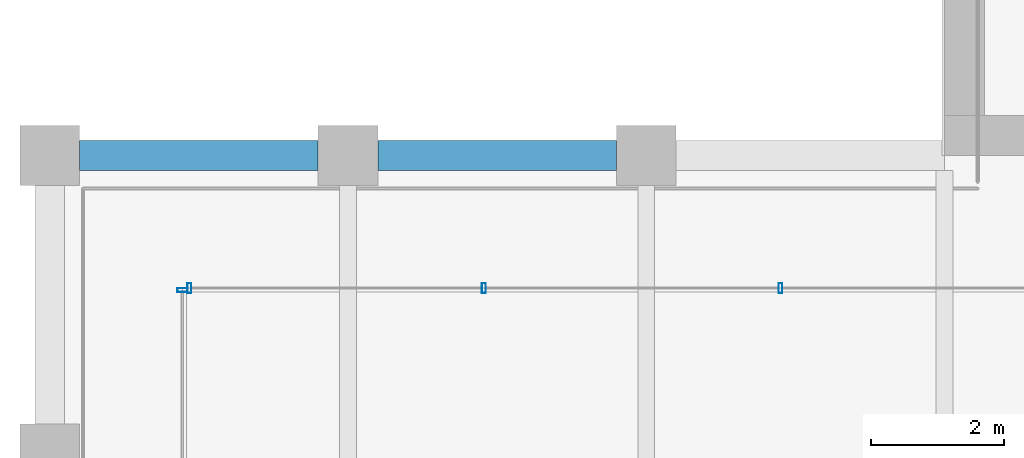
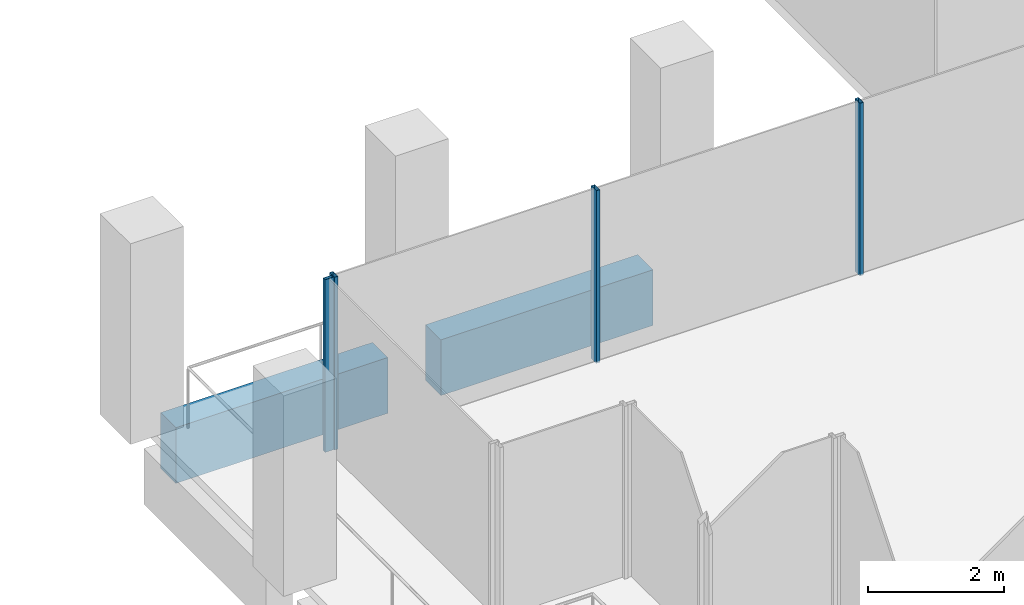
# One storey, part 5 of 40: 4 members, 2 beams, 2 elements without a shape of their own.
"""IFC4 building model written with IfcOpenShell, lengths in metres."""

from ifc_helpers import new_model, si_unit, direction, frame, origin, origin_2d, place, context, subcontext, project, spatial, rectangle, hollow_rectangle, extrude, material, material_profile, profile_set, type_object, element, aggregate, save


model = new_model("IFC4")

# Units and contexts
model_context = context("Model", 3, precision=1e-05, world=origin(), true_north=direction((0.0, 1.0)))
body_context = subcontext(model_context, "Body", "Model", "MODEL_VIEW")
ifc_project = project(units=[si_unit("LENGTHUNIT", "METRE"), si_unit("AREAUNIT", "SQUARE_METRE"), si_unit("VOLUMEUNIT", "CUBIC_METRE"), si_unit("PLANEANGLEUNIT", "RADIAN"), si_unit("MASSUNIT", "GRAM", prefix="KILO")], contexts=[model_context])

# Site, building, storey
site_placement = place(None, origin())
site = spatial("IfcSite", under=ifc_project, at=site_placement, CompositionType="ELEMENT")
building_placement = place(site_placement, origin())
building = spatial("IfcBuilding", under=site, at=building_placement, Name="Altepetl Exchange Towers", CompositionType="ELEMENT")
storey_placement = place(building_placement, frame((0.0, 0.0, 161.800048828125)))
storey = spatial("IfcBuildingStorey", under=building, at=storey_placement, Name="L40", CompositionType="ELEMENT", Elevation=161.800048828125)

# Curtain wall, members
ifc_material_1 = material(Name="Aluminium 6063-T6 glazing", Category="aluminium")
curtain_wall_type = type_object("IfcCurtainWallType", Name="Loggia glazing system", PredefinedType="NOTDEFINED", material=ifc_material_1)
curtain_wall_1_placement = place(storey_placement, origin())
curtain_wall_1 = element("IfcCurtainWall", 1, at=curtain_wall_1_placement, inside=storey, type_object=curtain_wall_type, Name="CW1 run", PredefinedType="NOTDEFINED")
ifc_material_2 = material(Name="Aluminium 6063-T6", Category="aluminium")
ifc_material_profile_1 = material_profile(ifc_material_2, hollow_rectangle(XDim=0.06005859375, YDim=0.14990234375, WallThickness=0.0029296875, at=origin_2d()), Name="Mullion 60x150 aluminium")
ifc_profile_set_1 = profile_set([ifc_material_profile_1], Name="Aluminium 6063-T6")
member_type = type_object("IfcMemberType", Name="Mullion 60x150 aluminium", PredefinedType="MULLION", material=ifc_profile_set_1)
member_1_placement = place(storey_placement, frame((38.02490234375, 38.5, 0.0), z_axis=(0.0, 0.0, 1.0), x_axis=(-1.0, 0.0, 0.0)))
member_1 = element("IfcMember", 2, at=member_1_placement, type_object=member_type, Name="MU1 mullion", PredefinedType="MULLION", context=body_context, shape_type="SweptSolid", body=[
    extrude(hollow_rectangle(XDim=0.06005859375, YDim=0.14990234375, WallThickness=0.0029296875, at=origin_2d()), origin(), (0.0, 0.0, 1.0), 3.099853515625),
])
member_2_placement = place(storey_placement, frame((33.550048828125, 38.5, 0.0), z_axis=(0.0, 0.0, 1.0), x_axis=(-1.0, 0.0, 0.0)))
member_2 = element("IfcMember", 3, at=member_2_placement, type_object=member_type, Name="MU1 mullion", PredefinedType="MULLION", context=body_context, shape_type="SweptSolid", body=[
    extrude(hollow_rectangle(XDim=0.06005859375, YDim=0.14990234375, WallThickness=0.0029296875, at=origin_2d()), origin(), (0.0, 0.0, 1.0), 3.099853515625),
])
member_3_placement = place(storey_placement, frame((29.10498046875, 38.5, 0.0), z_axis=(0.0, 0.0, 1.0), x_axis=(-1.0, 0.0, 0.0)))
member_3 = element("IfcMember", 4, at=member_3_placement, type_object=member_type, Name="MU1 mullion", PredefinedType="MULLION", context=body_context, shape_type="SweptSolid", body=[
    extrude(hollow_rectangle(XDim=0.06005859375, YDim=0.14990234375, WallThickness=0.0029296875, at=origin_2d()), origin(), (0.0, 0.0, 1.0), 3.099853515625),
])
aggregate(curtain_wall_1, [member_1, member_2, member_3])

# Curtain wall, member
curtain_wall_2_placement = place(storey_placement, origin())
curtain_wall_2 = element("IfcCurtainWall", 5, at=curtain_wall_2_placement, inside=storey, type_object=curtain_wall_type, Name="CW1 run", PredefinedType="NOTDEFINED")
member_4_placement = place(storey_placement, frame((29.0, 38.469970703125, 0.0), z_axis=(0.0, 0.0, 1.0), x_axis=(0.0, -1.0, 0.0)))
member_4 = element("IfcMember", 6, at=member_4_placement, type_object=member_type, Name="MU1 mullion", PredefinedType="MULLION", context=body_context, shape_type="SweptSolid", body=[
    extrude(hollow_rectangle(XDim=0.06005859375, YDim=0.14990234375, WallThickness=0.0029296875, at=origin_2d()), origin(), (0.0, 0.0, 1.0), 3.099853515625),
])
aggregate(curtain_wall_2, [member_4])

# Beams
ifc_material_3 = material(Name="Concrete C50/60 precast with tezontle facing", Category="concrete")
ifc_material_profile_2 = material_profile(ifc_material_3, rectangle(XDim=0.449951171875, YDim=1.0, at=origin_2d()), Name="450 x 1000")
ifc_profile_set_2 = profile_set([ifc_material_profile_2], Name="Concrete C50/60 precast with tezontle facing")
beam_type = type_object("IfcBeamType", Name="Spandrel beam 450x1000 tezontle", PredefinedType="SPANDREL", material=ifc_profile_set_2)
for number, where, z_axis, x_axis, name in (
    (7, (35.550048828125, 40.5, -0.650146484375), (-1.0, 0.0, 0.0), (0.0, -1.0, 0.0), "sp:A:L40:034"),
    (8, (31.050048828125, 40.5, -0.650146484375), (-1.0, 0.0, 0.0), (0.0, -1.0, 0.0), "sp:A:L40:035"),
):
    element("IfcBeam", number, at=place(storey_placement, frame(where, z_axis=z_axis, x_axis=x_axis)), inside=storey, type_object=beam_type, Name=name, PredefinedType="SPANDREL", context=body_context, shape_type="SweptSolid", body=[
        extrude(rectangle(XDim=0.449951171875, YDim=1.0, at=origin_2d()), origin(), (0.0, 0.0, 1.0), 3.60009765625),
    ])

save(model, "model.ifc")
